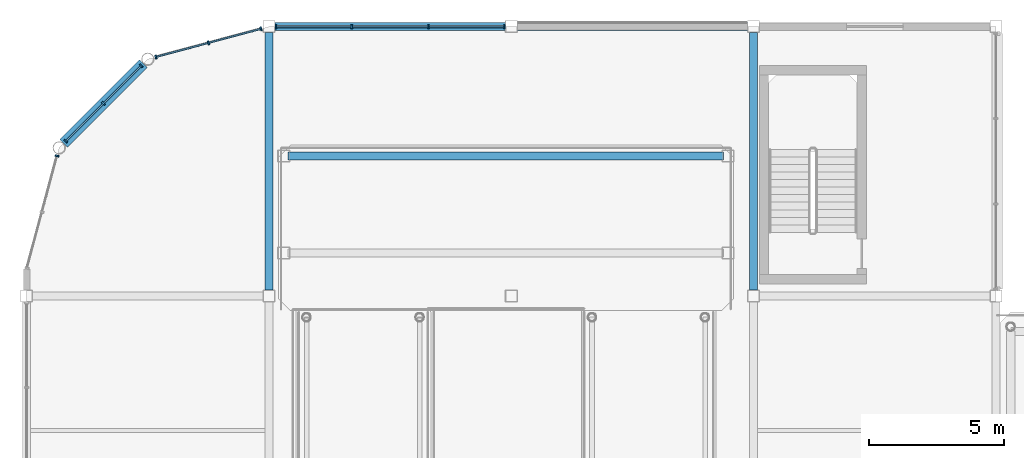
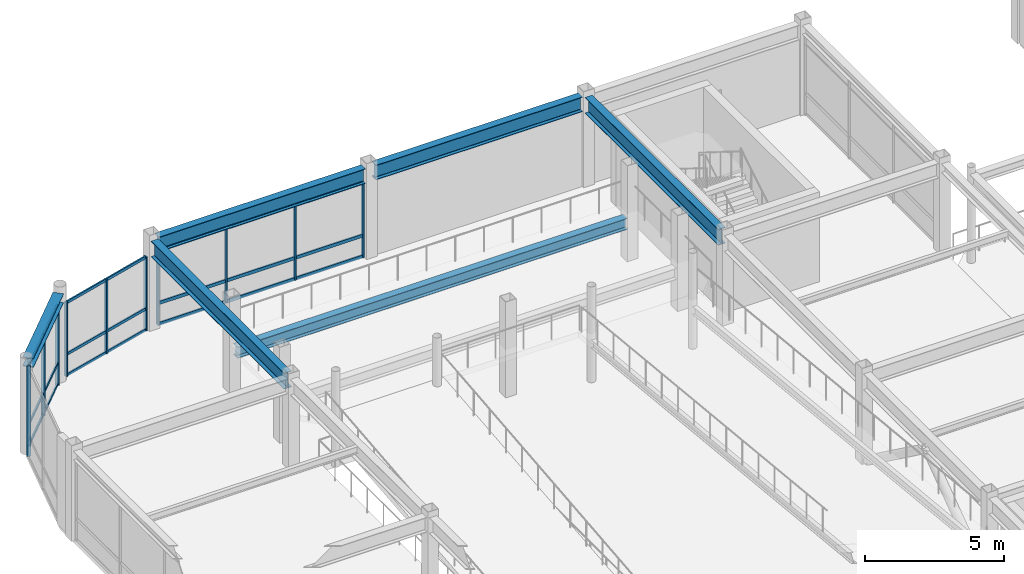
# One storey, part 36 of 105: 32 members, 6 beams, 4 elements without a shape of their own.
"""IFC4 building model written with IfcOpenShell, lengths in metres."""

import ifcopenshell
import ifcopenshell.guid

model = None  # the IFC model being written
_history = None  # IfcOwnerHistory: only IFC2X3 demands one
_inside = {}  # id of a spatial element -> (the spatial element, [elements in it])
_under = {}  # id of a project, library or spatial element -> (it, [spatial elements below it])
_declared = {}  # id of a project -> (the project, [libraries it declares])
_typed = {}  # id of a type object -> (the type object, [elements of that type])
_made_of = {}  # id of a material, layer set ... -> (it, [elements and type objects made of it])


def new_model(schema):
    """Start an empty IFC model of exactly this schema.

    Asked for "IFC4X3", IfcOpenShell would pick the latest addendum, in which some entities
    have other attributes; the version numbers below select the first issue.
    IFC2X3 requires an IfcOwnerHistory on every rooted entity: one is made here for all.
    """
    global model, _history
    if schema == "IFC4X3":
        model = ifcopenshell.file(schema_version=(4, 3, 0, 0))
    else:
        model = ifcopenshell.file(schema=schema)
    _inside.clear()
    _under.clear()
    _declared.clear()
    _typed.clear()
    _made_of.clear()
    _history = None
    if model.schema == "IFC2X3":
        org = make("IfcOrganization", Name="unknown")
        user = make(
            "IfcPersonAndOrganization",
            ThePerson=make("IfcPerson", FamilyName="unknown"),
            TheOrganization=org,
        )
        app = make(
            "IfcApplication",
            ApplicationDeveloper=org,
            Version="unknown",
            ApplicationFullName="unknown",
            ApplicationIdentifier="unknown",
        )
        _history = make(
            "IfcOwnerHistory",
            OwningUser=user,
            OwningApplication=app,
            ChangeAction="ADDED",
            CreationDate=0,
        )
    return model


def make(cls, **values):
    """One entity of the class cls with the attributes given. An attribute that is None is left unset."""
    return model.create_entity(
        cls, **{name: value for name, value in values.items() if value is not None}
    )


def rooted(cls, **values):
    """An entity with a GlobalId (a new one), such as an element, a storey or a relation."""
    return make(cls, GlobalId=ifcopenshell.guid.new(), OwnerHistory=_history, **values)


def si_unit(unit_type, name, prefix=None):
    """IfcSIUnit, for example si_unit("LENGTHUNIT", "METRE", prefix="MILLI")."""
    return make("IfcSIUnit", UnitType=unit_type, Prefix=prefix, Name=name)


def assignment(units):
    """IfcUnitAssignment: the units of a project."""
    return None if units is None else make("IfcUnitAssignment", Units=units)


def point(xyz):
    """IfcCartesianPoint."""
    return None if xyz is None else make("IfcCartesianPoint", Coordinates=xyz)


def direction(xyz):
    """IfcDirection."""
    return None if xyz is None else make("IfcDirection", DirectionRatios=xyz)


def frame(location, z_axis=None, x_axis=None):
    """IfcAxis2Placement3D, a coordinate frame: its origin and axes. An axis left out is left unset."""
    return make(
        "IfcAxis2Placement3D",
        Location=point(location),
        Axis=direction(z_axis),
        RefDirection=direction(x_axis),
    )


def frame_2d(location, x_axis=None):
    """IfcAxis2Placement2D, a coordinate frame in the plane: its origin and x axis."""
    return make(
        "IfcAxis2Placement2D", Location=point(location), RefDirection=direction(x_axis)
    )


def origin():
    """The frame at (0, 0, 0) with its axes left unset."""
    return frame((0.0, 0.0, 0.0))


def origin_2d():
    """The frame at (0, 0) in the plane with its x axis left unset."""
    return frame_2d((0.0, 0.0))


def place(relative_to, where):
    """IfcLocalPlacement: puts the frame where relative to a parent placement (None: the world)."""
    return make(
        "IfcLocalPlacement", PlacementRelTo=relative_to, RelativePlacement=where
    )


def context(
    kind, dimensions, precision=None, world=None, true_north=None, identifier=None
):
    """IfcGeometricRepresentationContext, for example the 3D "Model" context."""
    return make(
        "IfcGeometricRepresentationContext",
        ContextIdentifier=identifier,
        ContextType=kind,
        CoordinateSpaceDimension=dimensions,
        Precision=precision,
        WorldCoordinateSystem=world,
        TrueNorth=true_north,
    )


def subcontext(parent, identifier, kind, view, scale=None):
    """IfcGeometricRepresentationSubContext, for example "Body" below "Model"."""
    return make(
        "IfcGeometricRepresentationSubContext",
        ContextIdentifier=identifier,
        ContextType=kind,
        ParentContext=parent,
        TargetScale=scale,
        TargetView=view,
    )


def project(units=None, contexts=None):
    """IfcProject with its units and contexts."""
    return rooted(
        "IfcProject",
        Name="project",
        RepresentationContexts=contexts,
        UnitsInContext=assignment(units),
    )


def spatial(cls, under=None, at=None, **own):
    """A site, building, storey or space (cls), placed at a placement, below another one or the project."""
    s = rooted(cls, ObjectPlacement=at, **own)
    if under is not None:
        _under.setdefault(under.id(), (under, []))[1].append(s)
    return s


def profile(cls, at=None, kind="AREA", **sizes):
    """A parametric profile (cls). Its sizes go by their IFC names, for example OverallWidth=200.0."""
    return make(cls, ProfileType=kind, Position=at, **sizes)


def rectangle(**sizes):
    """IfcRectangleProfileDef."""
    return profile("IfcRectangleProfileDef", **sizes)


def i_section(**sizes):
    """IfcIShapeProfileDef."""
    return profile("IfcIShapeProfileDef", **sizes)


def extrude(swept, where, along, depth):
    """IfcExtrudedAreaSolid: the profile swept, set in the frame where, extruded along a direction by depth."""
    return make(
        "IfcExtrudedAreaSolid",
        SweptArea=swept,
        Position=where,
        ExtrudedDirection=direction(along),
        Depth=depth,
    )


def shape(context_of_items, identifier, shape_type, items):
    """IfcShapeRepresentation: the items that make up one representation, for example the "Body"."""
    return make(
        "IfcShapeRepresentation",
        ContextOfItems=context_of_items,
        RepresentationIdentifier=identifier,
        RepresentationType=shape_type,
        Items=items,
    )


def material(Name=None, Category=None):
    """IfcMaterial."""
    return make("IfcMaterial", Name=Name, Category=Category)


def material_profile(
    of_material, cross_section, Name=None, Category=None, Priority=None
):
    """IfcMaterialProfile: a cross section and its material."""
    return make(
        "IfcMaterialProfile",
        Name=Name,
        Material=of_material,
        Profile=cross_section,
        Priority=Priority,
        Category=Category,
    )


def profile_set(profiles, Name=None, composite=None):
    """IfcMaterialProfileSet."""
    return make(
        "IfcMaterialProfileSet",
        Name=Name,
        MaterialProfiles=profiles,
        CompositeProfile=composite,
    )


def made_of(thing, what):
    """Note that an element or type object is made of a material, layer set ...; save() writes the relation."""
    if what is not None:
        _made_of.setdefault(what.id(), (what, []))[1].append(thing)
    return thing


def type_object(cls, material=None, **own):
    """A type object (cls), such as IfcWallType, which elements share."""
    return made_of(rooted(cls, **own), material)


def element(
    cls,
    number,
    at=None,
    inside=None,
    cuts=None,
    type_object=None,
    material=None,
    context=None,
    identifier="Body",
    shape_type=None,
    held_by="IfcProductDefinitionShape",
    body=None,
    shapes=None,
    **own,
):
    """One element of the class cls, such as IfcWall. Its Tag is "e" and its number.

    at: its placement. inside: the storey or other place that contains it. cuts: it is an
    opening in that element (IfcRelVoidsElement). A single representation is given by context,
    identifier, shape_type and body (its items); several are given by shapes. held_by: the class
    of the entity that holds the representations. save() writes the other relations.
    """
    e = rooted(cls, Tag="e%d" % number, ObjectPlacement=at, **own)
    if body is not None:
        shapes = [shape(context, identifier, shape_type, body)]
    if shapes is not None:
        e.Representation = make(held_by, Representations=shapes)
    if inside is not None:
        _inside.setdefault(inside.id(), (inside, []))[1].append(e)
    if cuts is not None:
        rooted(
            "IfcRelVoidsElement", RelatingBuildingElement=cuts, RelatedOpeningElement=e
        )
    if type_object is not None:
        _typed.setdefault(type_object.id(), (type_object, []))[1].append(e)
    return made_of(e, material)


def aggregate(whole, parts):
    """IfcRelAggregates: a whole, such as a stair, and the parts it consists of."""
    return rooted("IfcRelAggregates", RelatingObject=whole, RelatedObjects=parts)


def save(model, path):
    """Write the relations noted so far, then the file.

    IfcRelAggregates (storeys below a building ...), IfcRelContainedInSpatialStructure (elements
    in a storey), IfcRelDefinesByType, IfcRelAssociatesMaterial and IfcRelDeclares: one each for
    every whole, place, type object, material and project.
    """
    for whole, parts in _under.values():
        aggregate(whole, parts)
    for where, things in _inside.values():
        rooted(
            "IfcRelContainedInSpatialStructure",
            RelatedElements=things,
            RelatingStructure=where,
        )
    for kind, things in _typed.values():
        rooted("IfcRelDefinesByType", RelatedObjects=things, RelatingType=kind)
    for what, things in _made_of.values():
        rooted("IfcRelAssociatesMaterial", RelatedObjects=things, RelatingMaterial=what)
    for by, libraries in _declared.values():
        rooted("IfcRelDeclares", RelatingContext=by, RelatedDefinitions=libraries)
    model.write(path)


model = new_model("IFC4")

# Units and contexts
model_context = context("Model", 3, precision=1e-05, world=origin(), true_north=direction((0.0, 1.0)))
body_context = subcontext(model_context, "Body", "Model", "MODEL_VIEW")
ifc_project = project(units=[si_unit("LENGTHUNIT", "METRE"), si_unit("AREAUNIT", "SQUARE_METRE"), si_unit("VOLUMEUNIT", "CUBIC_METRE"), si_unit("PLANEANGLEUNIT", "RADIAN"), si_unit("MASSUNIT", "GRAM", prefix="KILO")], contexts=[model_context])

# Site, building, storey
site_placement = place(None, origin())
site = spatial("IfcSite", under=ifc_project, at=site_placement, CompositionType="ELEMENT")
building_placement = place(site_placement, origin())
building = spatial("IfcBuilding", under=site, at=building_placement, Name="Suzunagisa Mobility Hub", CompositionType="ELEMENT")
storey_placement = place(building_placement, frame((0.0, 0.0, 5.10009765625)))
storey = spatial("IfcBuildingStorey", under=building, at=storey_placement, Name="L01", CompositionType="ELEMENT", Elevation=5.10009765625)

# Curtain wall, members
ifc_material_1 = material(Name="Thermally Broken Anodized Aluminum and Low-E Glazing", Category="aluminium")
curtain_wall_type_1 = type_object("IfcCurtainWallType", Name="Unitised Curtain Wall CW-43 8500x3300", PredefinedType="USERDEFINED", material=ifc_material_1)
curtain_wall_1_placement = place(storey_placement, origin())
curtain_wall_1 = element("IfcCurtainWall", 1, at=curtain_wall_1_placement, inside=storey, type_object=curtain_wall_type_1, Name="L01 Unitised Curtain Wall CW-58", ObjectType="UNITISED CURTAIN WALL", PredefinedType="USERDEFINED")
ifc_material_2 = material(Name="Anodized Aluminum 6063-T6", Category="aluminium")
ifc_material_profile_1 = material_profile(ifc_material_2, rectangle(XDim=0.06494140625, YDim=0.139892578125, at=origin_2d()), Name="TRAN-65x140")
ifc_profile_set_1 = profile_set([ifc_material_profile_1], Name="Anodized Aluminum 6063-T6")
member_type_1 = type_object("IfcMemberType", Name="Curtain Wall Framing CM-01 TRAN-65x140", PredefinedType="USERDEFINED", material=ifc_profile_set_1)
member_1_placement = place(storey_placement, frame((17.717041015625, 118.0, 0.032470703125), z_axis=(-1.0, 0.0, 0.0), x_axis=(0.0, -1.0, 0.0)))
member_1 = element("IfcMember", 2, at=member_1_placement, type_object=member_type_1, Name="Curtain Wall Transom 58-T1.1", ObjectType="TRANSOM", PredefinedType="USERDEFINED", context=body_context, shape_type="SweptSolid", body=[
    extrude(rectangle(XDim=0.06494140625, YDim=0.139892578125, at=origin_2d()), origin(), (0.0, 0.0, 1.0), 2.76416015625),
])
member_2_placement = place(storey_placement, frame((17.717041015625, 118.0, 0.949951171875), z_axis=(-1.0, 0.0, 0.0), x_axis=(0.0, -1.0, 0.0)))
member_2 = element("IfcMember", 3, at=member_2_placement, type_object=member_type_1, Name="Curtain Wall Transom 58-T1.2", ObjectType="TRANSOM", PredefinedType="USERDEFINED", context=body_context, shape_type="SweptSolid", body=[
    extrude(rectangle(XDim=0.06494140625, YDim=0.139892578125, at=origin_2d()), origin(), (0.0, 0.0, 1.0), 2.76416015625),
])
member_3_placement = place(storey_placement, frame((17.717041015625, 118.0, 3.25732421875), z_axis=(-1.0, 0.0, 0.0), x_axis=(0.0, -1.0, 0.0)))
member_3 = element("IfcMember", 4, at=member_3_placement, type_object=member_type_1, Name="Curtain Wall Transom 58-T1.3", ObjectType="TRANSOM", PredefinedType="USERDEFINED", context=body_context, shape_type="SweptSolid", body=[
    extrude(rectangle(XDim=0.06494140625, YDim=0.139892578125, at=origin_2d()), origin(), (0.0, 0.0, 1.0), 2.76416015625),
])
member_4_placement = place(storey_placement, frame((14.89697265625, 118.0, 0.032470703125), z_axis=(-1.0, 0.0, 0.0), x_axis=(0.0, -1.0, 0.0)))
member_4 = element("IfcMember", 5, at=member_4_placement, type_object=member_type_1, Name="Curtain Wall Transom 58-T2.1", ObjectType="TRANSOM", PredefinedType="USERDEFINED", context=body_context, shape_type="SweptSolid", body=[
    extrude(rectangle(XDim=0.06494140625, YDim=0.139892578125, at=origin_2d()), origin(), (0.0, 0.0, 1.0), 2.7939453125),
])
member_5_placement = place(storey_placement, frame((14.89697265625, 118.0, 0.949951171875), z_axis=(-1.0, 0.0, 0.0), x_axis=(0.0, -1.0, 0.0)))
member_5 = element("IfcMember", 6, at=member_5_placement, type_object=member_type_1, Name="Curtain Wall Transom 58-T2.2", ObjectType="TRANSOM", PredefinedType="USERDEFINED", context=body_context, shape_type="SweptSolid", body=[
    extrude(rectangle(XDim=0.06494140625, YDim=0.139892578125, at=origin_2d()), origin(), (0.0, 0.0, 1.0), 2.7939453125),
])
member_6_placement = place(storey_placement, frame((14.89697265625, 118.0, 3.25732421875), z_axis=(-1.0, 0.0, 0.0), x_axis=(0.0, -1.0, 0.0)))
member_6 = element("IfcMember", 7, at=member_6_placement, type_object=member_type_1, Name="Curtain Wall Transom 58-T2.3", ObjectType="TRANSOM", PredefinedType="USERDEFINED", context=body_context, shape_type="SweptSolid", body=[
    extrude(rectangle(XDim=0.06494140625, YDim=0.139892578125, at=origin_2d()), origin(), (0.0, 0.0, 1.0), 2.7939453125),
])
member_7_placement = place(storey_placement, frame((12.047119140625, 118.0, 0.032470703125), z_axis=(-1.0, 0.0, 0.0), x_axis=(0.0, -1.0, 0.0)))
member_7 = element("IfcMember", 8, at=member_7_placement, type_object=member_type_1, Name="Curtain Wall Transom 58-T3.1", ObjectType="TRANSOM", PredefinedType="USERDEFINED", context=body_context, shape_type="SweptSolid", body=[
    extrude(rectangle(XDim=0.06494140625, YDim=0.139892578125, at=origin_2d()), origin(), (0.0, 0.0, 1.0), 2.76416015625),
])
member_8_placement = place(storey_placement, frame((12.047119140625, 118.0, 0.949951171875), z_axis=(-1.0, 0.0, 0.0), x_axis=(0.0, -1.0, 0.0)))
member_8 = element("IfcMember", 9, at=member_8_placement, type_object=member_type_1, Name="Curtain Wall Transom 58-T3.2", ObjectType="TRANSOM", PredefinedType="USERDEFINED", context=body_context, shape_type="SweptSolid", body=[
    extrude(rectangle(XDim=0.06494140625, YDim=0.139892578125, at=origin_2d()), origin(), (0.0, 0.0, 1.0), 2.76416015625),
])
member_9_placement = place(storey_placement, frame((12.047119140625, 118.0, 3.25732421875), z_axis=(-1.0, 0.0, 0.0), x_axis=(0.0, -1.0, 0.0)))
member_9 = element("IfcMember", 10, at=member_9_placement, type_object=member_type_1, Name="Curtain Wall Transom 58-T3.3", ObjectType="TRANSOM", PredefinedType="USERDEFINED", context=body_context, shape_type="SweptSolid", body=[
    extrude(rectangle(XDim=0.06494140625, YDim=0.139892578125, at=origin_2d()), origin(), (0.0, 0.0, 1.0), 2.76416015625),
])

curtain_wall_type_2 = type_object("IfcCurtainWallType", Name="Unitised Curtain Wall CW-31 4000x3200", PredefinedType="USERDEFINED", material=ifc_material_1)
curtain_wall_2_placement = place(storey_placement, origin())
curtain_wall_2 = element("IfcCurtainWall", 11, at=curtain_wall_2_placement, inside=storey, type_object=curtain_wall_type_2, Name="L01 Unitised Curtain Wall CW-59", ObjectType="UNITISED CURTAIN WALL", PredefinedType="USERDEFINED")
ifc_material_profile_2 = material_profile(ifc_material_2, rectangle(XDim=0.06005859375, YDim=0.1201171875, at=origin_2d()), Name="TRAN-60x120")
ifc_profile_set_2 = profile_set([ifc_material_profile_2], Name="Anodized Aluminum 6063-T6")
member_type_2 = type_object("IfcMemberType", Name="Curtain Wall Framing CM-02 TRAN-60x120", PredefinedType="USERDEFINED", material=ifc_profile_set_2)
member_10_placement = place(storey_placement, frame((8.677734375, 117.913818359375, 0.02978515625), z_axis=(-0.965881496613, -0.258984429069, 0.0), x_axis=(0.258984429069, -0.965881496613, 0.0)))
member_10 = element("IfcMember", 12, at=member_10_placement, type_object=member_type_2, Name="Curtain Wall Transom 59-T1.1", ObjectType="TRANSOM", PredefinedType="USERDEFINED", context=body_context, shape_type="SweptSolid", body=[
    extrude(rectangle(XDim=0.06005859375, YDim=0.1201171875, at=origin_2d()), origin(), (0.0, 0.0, 1.0), 1.965576171875),
])
member_11_placement = place(storey_placement, frame((8.677734375, 117.913818359375, 0.949951171875), z_axis=(-0.965881496613, -0.258984429069, 0.0), x_axis=(0.258984429069, -0.965881496613, 0.0)))
member_11 = element("IfcMember", 13, at=member_11_placement, type_object=member_type_2, Name="Curtain Wall Transom 59-T1.2", ObjectType="TRANSOM", PredefinedType="USERDEFINED", context=body_context, shape_type="SweptSolid", body=[
    extrude(rectangle(XDim=0.06005859375, YDim=0.1201171875, at=origin_2d()), origin(), (0.0, 0.0, 1.0), 1.965576171875),
])
member_12_placement = place(storey_placement, frame((8.677734375, 117.913818359375, 3.2099609375), z_axis=(-0.965881496613, -0.258984429069, 0.0), x_axis=(0.258984429069, -0.965881496613, 0.0)))
member_12 = element("IfcMember", 14, at=member_12_placement, type_object=member_type_2, Name="Curtain Wall Transom 59-T1.3", ObjectType="TRANSOM", PredefinedType="USERDEFINED", context=body_context, shape_type="SweptSolid", body=[
    extrude(rectangle(XDim=0.06005859375, YDim=0.1201171875, at=origin_2d()), origin(), (0.0, 0.0, 1.0), 1.965576171875),
])
member_13_placement = place(storey_placement, frame((6.72509765625, 117.390380859375, 0.02978515625), z_axis=(-0.965920885023, -0.258837485455, 0.0), x_axis=(0.258837485455, -0.965920885023, 0.0)))
member_13 = element("IfcMember", 15, at=member_13_placement, type_object=member_type_2, Name="Curtain Wall Transom 59-T2.1", ObjectType="TRANSOM", PredefinedType="USERDEFINED", context=body_context, shape_type="SweptSolid", body=[
    extrude(rectangle(XDim=0.06005859375, YDim=0.1201171875, at=origin_2d()), origin(), (0.0, 0.0, 1.0), 1.965576171875),
])
member_14_placement = place(storey_placement, frame((6.72509765625, 117.390380859375, 0.949951171875), z_axis=(-0.965920885023, -0.258837485455, 0.0), x_axis=(0.258837485455, -0.965920885023, 0.0)))
member_14 = element("IfcMember", 16, at=member_14_placement, type_object=member_type_2, Name="Curtain Wall Transom 59-T2.2", ObjectType="TRANSOM", PredefinedType="USERDEFINED", context=body_context, shape_type="SweptSolid", body=[
    extrude(rectangle(XDim=0.06005859375, YDim=0.1201171875, at=origin_2d()), origin(), (0.0, 0.0, 1.0), 1.965576171875),
])
member_15_placement = place(storey_placement, frame((6.72509765625, 117.390380859375, 3.2099609375), z_axis=(-0.965920885023, -0.258837485455, 0.0), x_axis=(0.258837485455, -0.965920885023, 0.0)))
member_15 = element("IfcMember", 17, at=member_15_placement, type_object=member_type_2, Name="Curtain Wall Transom 59-T2.3", ObjectType="TRANSOM", PredefinedType="USERDEFINED", context=body_context, shape_type="SweptSolid", body=[
    extrude(rectangle(XDim=0.06005859375, YDim=0.1201171875, at=origin_2d()), origin(), (0.0, 0.0, 1.0), 1.965576171875),
])

curtain_wall_type_3 = type_object("IfcCurtainWallType", Name="Unitised Curtain Wall CW-23 4000x3500", PredefinedType="USERDEFINED", material=ifc_material_1)
curtain_wall_3_placement = place(storey_placement, origin())
curtain_wall_3 = element("IfcCurtainWall", 18, at=curtain_wall_3_placement, inside=storey, type_object=curtain_wall_type_3, Name="L01 Unitised Curtain Wall CW-60", ObjectType="UNITISED CURTAIN WALL", PredefinedType="USERDEFINED")
member_16_placement = place(storey_placement, frame((4.23046875, 116.524658203125, 0.02978515625), z_axis=(-0.707106781187, -0.707106781187, 0.0), x_axis=(0.707106781187, -0.707106781187, 0.0)))
member_16 = element("IfcMember", 19, at=member_16_placement, type_object=member_type_2, Name="Curtain Wall Transom 60-T1.1", ObjectType="TRANSOM", PredefinedType="USERDEFINED", context=body_context, shape_type="SweptSolid", body=[
    extrude(rectangle(XDim=0.06005859375, YDim=0.1201171875, at=origin_2d()), origin(), (0.0, 0.0, 1.0), 1.919921875),
])
member_17_placement = place(storey_placement, frame((4.23046875, 116.524658203125, 0.949951171875), z_axis=(-0.707106781187, -0.707106781187, 0.0), x_axis=(0.707106781187, -0.707106781187, 0.0)))
member_17 = element("IfcMember", 20, at=member_17_placement, type_object=member_type_2, Name="Curtain Wall Transom 60-T1.2", ObjectType="TRANSOM", PredefinedType="USERDEFINED", context=body_context, shape_type="SweptSolid", body=[
    extrude(rectangle(XDim=0.06005859375, YDim=0.1201171875, at=origin_2d()), origin(), (0.0, 0.0, 1.0), 1.919921875),
])
member_18_placement = place(storey_placement, frame((4.23046875, 116.524658203125, 3.510009765625), z_axis=(-0.707106781187, -0.707106781187, 0.0), x_axis=(0.707106781187, -0.707106781187, 0.0)))
member_18 = element("IfcMember", 21, at=member_18_placement, type_object=member_type_2, Name="Curtain Wall Transom 60-T1.3", ObjectType="TRANSOM", PredefinedType="USERDEFINED", context=body_context, shape_type="SweptSolid", body=[
    extrude(rectangle(XDim=0.06005859375, YDim=0.1201171875, at=origin_2d()), origin(), (0.0, 0.0, 1.0), 1.919921875),
])
member_19_placement = place(storey_placement, frame((2.8330078125, 115.127197265625, 0.02978515625), z_axis=(-0.707106781187, -0.707106781187, 0.0), x_axis=(0.707106781187, -0.707106781187, 0.0)))
member_19 = element("IfcMember", 22, at=member_19_placement, type_object=member_type_2, Name="Curtain Wall Transom 60-T2.1", ObjectType="TRANSOM", PredefinedType="USERDEFINED", context=body_context, shape_type="SweptSolid", body=[
    extrude(rectangle(XDim=0.06005859375, YDim=0.1201171875, at=origin_2d()), origin(), (0.0, 0.0, 1.0), 1.919921875),
])
member_20_placement = place(storey_placement, frame((2.8330078125, 115.127197265625, 0.949951171875), z_axis=(-0.707106781187, -0.707106781187, 0.0), x_axis=(0.707106781187, -0.707106781187, 0.0)))
member_20 = element("IfcMember", 23, at=member_20_placement, type_object=member_type_2, Name="Curtain Wall Transom 60-T2.2", ObjectType="TRANSOM", PredefinedType="USERDEFINED", context=body_context, shape_type="SweptSolid", body=[
    extrude(rectangle(XDim=0.06005859375, YDim=0.1201171875, at=origin_2d()), origin(), (0.0, 0.0, 1.0), 1.919921875),
])
member_21_placement = place(storey_placement, frame((2.8330078125, 115.127197265625, 3.510009765625), z_axis=(-0.707106781187, -0.707106781187, 0.0), x_axis=(0.707106781187, -0.707106781187, 0.0)))
member_21 = element("IfcMember", 24, at=member_21_placement, type_object=member_type_2, Name="Curtain Wall Transom 60-T2.3", ObjectType="TRANSOM", PredefinedType="USERDEFINED", context=body_context, shape_type="SweptSolid", body=[
    extrude(rectangle(XDim=0.06005859375, YDim=0.1201171875, at=origin_2d()), origin(), (0.0, 0.0, 1.0), 1.919921875),
])

# Member
ifc_material_profile_3 = material_profile(ifc_material_2, rectangle(XDim=0.06005859375, YDim=0.14990234375, at=origin_2d()), Name="MULL-60x150")
ifc_profile_set_3 = profile_set([ifc_material_profile_3], Name="Anodized Aluminum 6063-T6")
member_type_3 = type_object("IfcMemberType", Name="Curtain Wall Framing CM-03 MULL-60x150", PredefinedType="MULLION", material=ifc_profile_set_3)
member_22_placement = place(storey_placement, frame((17.7451171875, 118.0, 0.0), z_axis=(0.0, 0.0, 1.0), x_axis=(-1.0, 0.0, 0.0)))
member_22 = element("IfcMember", 25, at=member_22_placement, type_object=member_type_3, Name="Curtain Wall Mullion 58-M1", PredefinedType="MULLION", context=body_context, shape_type="SweptSolid", body=[
    extrude(rectangle(XDim=0.06005859375, YDim=0.14990234375, at=origin_2d()), origin(), (0.0, 0.0, 1.0), 3.289794921875),
])

member_23_placement = place(storey_placement, frame((14.925048828125, 118.0, 0.0), z_axis=(0.0, 0.0, 1.0), x_axis=(-1.0, 0.0, 0.0)))
member_23 = element("IfcMember", 26, at=member_23_placement, type_object=member_type_3, Name="Curtain Wall Mullion 58-M2", PredefinedType="MULLION", context=body_context, shape_type="SweptSolid", body=[
    extrude(rectangle(XDim=0.06005859375, YDim=0.14990234375, at=origin_2d()), origin(), (0.0, 0.0, 1.0), 3.289794921875),
])

member_24_placement = place(storey_placement, frame((12.074951171875, 118.0, 0.0), z_axis=(0.0, 0.0, 1.0), x_axis=(-1.0, 0.0, 0.0)))
member_24 = element("IfcMember", 27, at=member_24_placement, type_object=member_type_3, Name="Curtain Wall Mullion 58-M3", PredefinedType="MULLION", context=body_context, shape_type="SweptSolid", body=[
    extrude(rectangle(XDim=0.06005859375, YDim=0.14990234375, at=origin_2d()), origin(), (0.0, 0.0, 1.0), 3.289794921875),
])

member_25_placement = place(storey_placement, frame((9.2548828125, 118.0, 0.0), z_axis=(0.0, 0.0, 1.0), x_axis=(-1.0, 0.0, 0.0)))
member_25 = element("IfcMember", 28, at=member_25_placement, type_object=member_type_3, Name="Curtain Wall Mullion 58-M4", PredefinedType="MULLION", context=body_context, shape_type="SweptSolid", body=[
    extrude(rectangle(XDim=0.06005859375, YDim=0.14990234375, at=origin_2d()), origin(), (0.0, 0.0, 1.0), 3.289794921875),
])

aggregate(curtain_wall_1, [member_22, member_23, member_24, member_25, member_1, member_2, member_3, member_4, member_5, member_6, member_7, member_8, member_9])

member_26_placement = place(storey_placement, frame((8.704833984375, 117.9208984375, 0.0), z_axis=(0.0, 0.0, 1.0), x_axis=(-0.965925206606, -0.258821357779, 0.0)))
member_26 = element("IfcMember", 29, at=member_26_placement, type_object=member_type_3, Name="Curtain Wall Mullion 59-M1", PredefinedType="MULLION", context=body_context, shape_type="SweptSolid", body=[
    extrude(rectangle(XDim=0.06005859375, YDim=0.14990234375, at=origin_2d()), origin(), (0.0, 0.0, 1.0), 3.239990234375),
])

member_27_placement = place(storey_placement, frame((6.752197265625, 117.397705078125, 0.0), z_axis=(0.0, 0.0, 1.0), x_axis=(-0.965925206606, -0.258821357779, 0.0)))
member_27 = element("IfcMember", 30, at=member_27_placement, type_object=member_type_3, Name="Curtain Wall Mullion 59-M2", PredefinedType="MULLION", context=body_context, shape_type="SweptSolid", body=[
    extrude(rectangle(XDim=0.06005859375, YDim=0.14990234375, at=origin_2d()), origin(), (0.0, 0.0, 1.0), 3.239990234375),
])

member_28_placement = place(storey_placement, frame((4.79931640625, 116.87451171875, 0.0), z_axis=(0.0, 0.0, 1.0), x_axis=(-0.965925206606, -0.258821357779, 0.0)))
member_28 = element("IfcMember", 31, at=member_28_placement, type_object=member_type_3, Name="Curtain Wall Mullion 59-M3", PredefinedType="MULLION", context=body_context, shape_type="SweptSolid", body=[
    extrude(rectangle(XDim=0.06005859375, YDim=0.14990234375, at=origin_2d()), origin(), (0.0, 0.0, 1.0), 3.239990234375),
])

aggregate(curtain_wall_2, [member_26, member_27, member_28, member_10, member_11, member_12, member_13, member_14, member_15])

member_29_placement = place(storey_placement, frame((4.250244140625, 116.54443359375, 0.0), z_axis=(0.0, 0.0, 1.0), x_axis=(-0.707106781187, -0.707106781187, 0.0)))
member_29 = element("IfcMember", 32, at=member_29_placement, type_object=member_type_3, Name="Curtain Wall Mullion 60-M1", PredefinedType="MULLION", context=body_context, shape_type="SweptSolid", body=[
    extrude(rectangle(XDim=0.06005859375, YDim=0.14990234375, at=origin_2d()), origin(), (0.0, 0.0, 1.0), 3.539794921875),
])

member_30_placement = place(storey_placement, frame((2.852783203125, 115.147216796875, 0.0), z_axis=(0.0, 0.0, 1.0), x_axis=(-0.707106781187, -0.707106781187, 0.0)))
member_30 = element("IfcMember", 33, at=member_30_placement, type_object=member_type_3, Name="Curtain Wall Mullion 60-M2", PredefinedType="MULLION", context=body_context, shape_type="SweptSolid", body=[
    extrude(rectangle(XDim=0.06005859375, YDim=0.14990234375, at=origin_2d()), origin(), (0.0, 0.0, 1.0), 3.539794921875),
])

member_31_placement = place(storey_placement, frame((1.45556640625, 113.749755859375, 0.0), z_axis=(0.0, 0.0, 1.0), x_axis=(-0.707106781187, -0.707106781187, 0.0)))
member_31 = element("IfcMember", 34, at=member_31_placement, type_object=member_type_3, Name="Curtain Wall Mullion 60-M3", PredefinedType="MULLION", context=body_context, shape_type="SweptSolid", body=[
    extrude(rectangle(XDim=0.06005859375, YDim=0.14990234375, at=origin_2d()), origin(), (0.0, 0.0, 1.0), 3.539794921875),
])

aggregate(curtain_wall_3, [member_29, member_30, member_31, member_16, member_17, member_18, member_19, member_20, member_21])

# Curtain wall, member
curtain_wall_type_4 = type_object("IfcCurtainWallType", Name="Unitised Curtain Wall CW-48 4500x3900", PredefinedType="USERDEFINED", material=ifc_material_1)
curtain_wall_4_placement = place(storey_placement, origin())
curtain_wall_4 = element("IfcCurtainWall", 35, at=curtain_wall_4_placement, inside=storey, type_object=curtain_wall_type_4, Name="L01 Unitised Curtain Wall CW-61", ObjectType="UNITISED CURTAIN WALL", PredefinedType="USERDEFINED")
member_32_placement = place(storey_placement, frame((1.12548828125, 113.20068359375, 0.0), z_axis=(0.0, 0.0, 1.0), x_axis=(-0.258815230137, -0.965926848498, 0.0)))
member_32 = element("IfcMember", 36, at=member_32_placement, type_object=member_type_3, Name="Curtain Wall Mullion 61-M1", PredefinedType="MULLION", context=body_context, shape_type="SweptSolid", body=[
    extrude(rectangle(XDim=0.06005859375, YDim=0.14990234375, at=origin_2d()), origin(), (0.0, 0.0, 1.0), 3.93994140625),
])
aggregate(curtain_wall_4, [member_32])

# Beams
ifc_material_3 = material(Name="Steel SN490B", Category="steel")
ifc_material_profile_4 = material_profile(ifc_material_3, i_section(OverallWidth=0.300048828125, OverallDepth=0.488037109375, WebThickness=0.010986328125, FlangeThickness=0.01806640625, FilletRadius=0.012939453125, at=origin_2d()), Name="H-488x300x11x18")
ifc_profile_set_4 = profile_set([ifc_material_profile_4], Name="Steel SN490B")
beam_type_1 = type_object("IfcBeamType", Name="Steel Beam BM-06 H-488x300x11x18", PredefinedType="BEAM", material=ifc_profile_set_4)
beam_1_placement = place(storey_placement, frame((9.7099609375, 113.199951171875, 1.60595703125), z_axis=(1.0, 0.0, 0.0), x_axis=(0.0, 1.0, 0.0)))
element("IfcBeam", 37, at=beam_1_placement, inside=storey, type_object=beam_type_1, Name="L01 Ramp Turn Deck Support Girder 2320", PredefinedType="BEAM", context=body_context, shape_type="SweptSolid", body=[
    extrude(i_section(OverallWidth=0.300048828125, OverallDepth=0.488037109375, WebThickness=0.010986328125, FlangeThickness=0.01806640625, FilletRadius=0.012939453125, at=origin_2d()), origin(), (0.0, 0.0, 1.0), 16.179931640625),
])
ifc_material_profile_5 = material_profile(ifc_material_3, i_section(OverallWidth=0.300048828125, OverallDepth=0.64990234375, WebThickness=0.012939453125, FlangeThickness=0.02197265625, FilletRadius=0.01611328125, at=origin_2d()), Name="H-650x300x13x22")
ifc_profile_set_5 = profile_set([ifc_material_profile_5], Name="Steel SN490B")
beam_type_2 = type_object("IfcBeamType", Name="Steel Beam BM-10 H-650x300x13x22", PredefinedType="BEAM", material=ifc_profile_set_5)
for number, where, z_axis, x_axis, name in (
    (38, (9.220947265625, 118.0, 3.614990234375), (1.0, 0.0, 0.0), (0.0, 1.0, 0.0), "L01 Primary Girder GX-496"),
    (39, (18.220947265625, 118.0, 3.614990234375), (1.0, 0.0, 0.0), (0.0, 1.0, 0.0), "L01 Primary Girder GX-497"),
):
    element("IfcBeam", number, at=place(storey_placement, frame(where, z_axis=z_axis, x_axis=x_axis)), inside=storey, type_object=beam_type_2, Name=name, PredefinedType="BEAM", context=body_context, shape_type="SweptSolid", body=[
        extrude(i_section(OverallWidth=0.300048828125, OverallDepth=0.64990234375, WebThickness=0.012939453125, FlangeThickness=0.02197265625, FilletRadius=0.01611328125, at=origin_2d()), origin(), (0.0, 0.0, 1.0), 8.55810546875),
    ])
ifc_material_profile_6 = material_profile(ifc_material_3, i_section(OverallWidth=0.300048828125, OverallDepth=0.699951171875, WebThickness=0.012939453125, FlangeThickness=0.02392578125, FilletRadius=0.01806640625, at=origin_2d()), Name="H-700x300x13x24")
ifc_profile_set_6 = profile_set([ifc_material_profile_6], Name="Steel SN490B")
beam_type_3 = type_object("IfcBeamType", Name="Steel Beam BM-11 H-700x300x13x24", PredefinedType="BEAM", material=ifc_profile_set_6)
for number, where, z_axis, x_axis, name in (
    (40, (9.0, 108.220947265625, 3.58984375), (0.0, 1.0, 0.0), (-1.0, 0.0, 0.0), "L01 Primary Girder GY-504"),
    (41, (27.0, 108.220947265625, 3.58984375), (0.0, 1.0, 0.0), (-1.0, 0.0, 0.0), "L01 Primary Girder GY-509"),
):
    element("IfcBeam", number, at=place(storey_placement, frame(where, z_axis=z_axis, x_axis=x_axis)), inside=storey, type_object=beam_type_3, Name=name, PredefinedType="BEAM", context=body_context, shape_type="SweptSolid", body=[
        extrude(i_section(OverallWidth=0.300048828125, OverallDepth=0.699951171875, WebThickness=0.012939453125, FlangeThickness=0.02392578125, FilletRadius=0.01806640625, at=origin_2d()), origin(), (0.0, 0.0, 1.0), 9.55810546875),
    ])
ifc_material_profile_7 = material_profile(ifc_material_3, i_section(OverallWidth=0.39990234375, OverallDepth=0.39990234375, WebThickness=0.012939453125, FlangeThickness=0.02099609375, FilletRadius=0.01611328125, at=origin_2d()), Name="H-400x400x13x21")
ifc_profile_set_7 = profile_set([ifc_material_profile_7], Name="Steel SN490B")
beam_type_4 = type_object("IfcBeamType", Name="Steel Beam BM-12 H-400x400x13x21", PredefinedType="SPANDREL", material=ifc_profile_set_7)
beam_2_placement = place(storey_placement, frame((4.33837890625, 116.632568359375, 3.739990234375), z_axis=(-0.707106781187, -0.707106781187, 0.0), x_axis=(0.707106781187, -0.707106781187, 0.0)))
element("IfcBeam", 42, at=beam_2_placement, inside=storey, type_object=beam_type_4, Name="L01 Streamline Prow Spandrel 515", PredefinedType="SPANDREL", context=body_context, shape_type="SweptSolid", body=[
    extrude(i_section(OverallWidth=0.39990234375, OverallDepth=0.39990234375, WebThickness=0.012939453125, FlangeThickness=0.02099609375, FilletRadius=0.01611328125, at=origin_2d()), origin(), (0.0, 0.0, 1.0), 4.20166015625),
])

save(model, "model.ifc")
